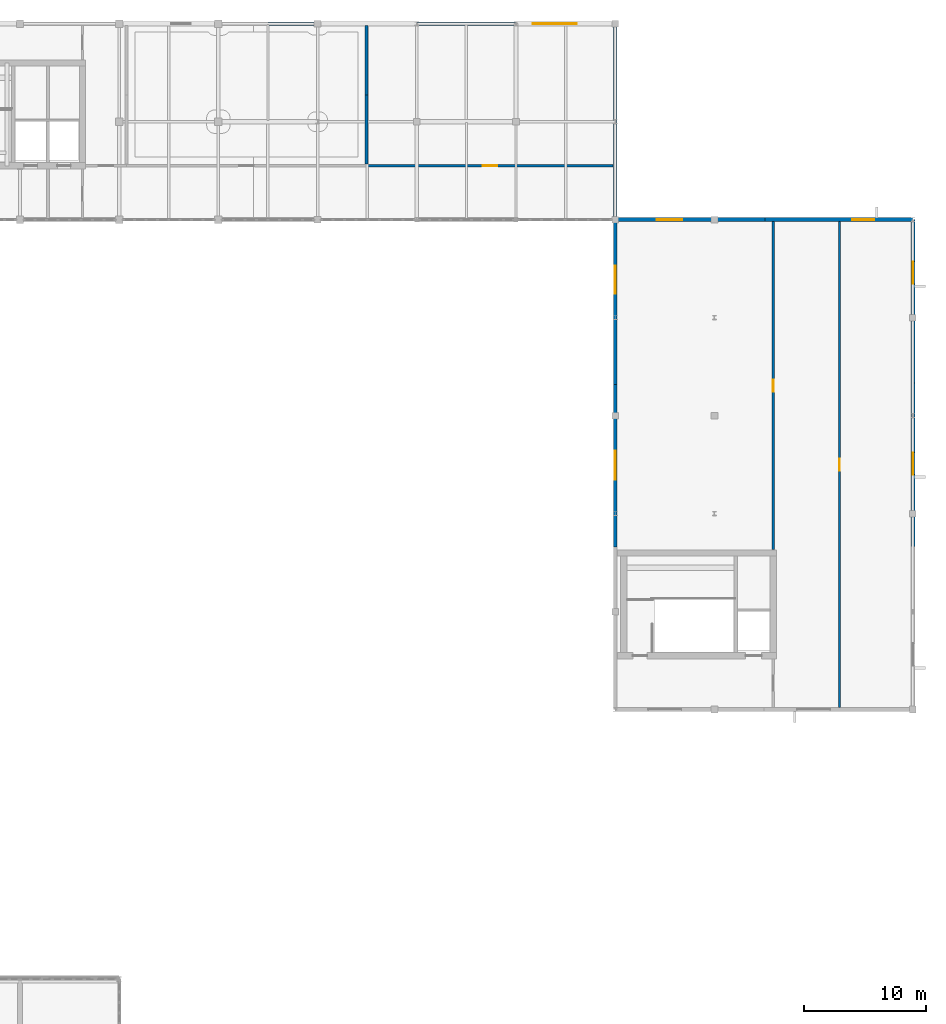
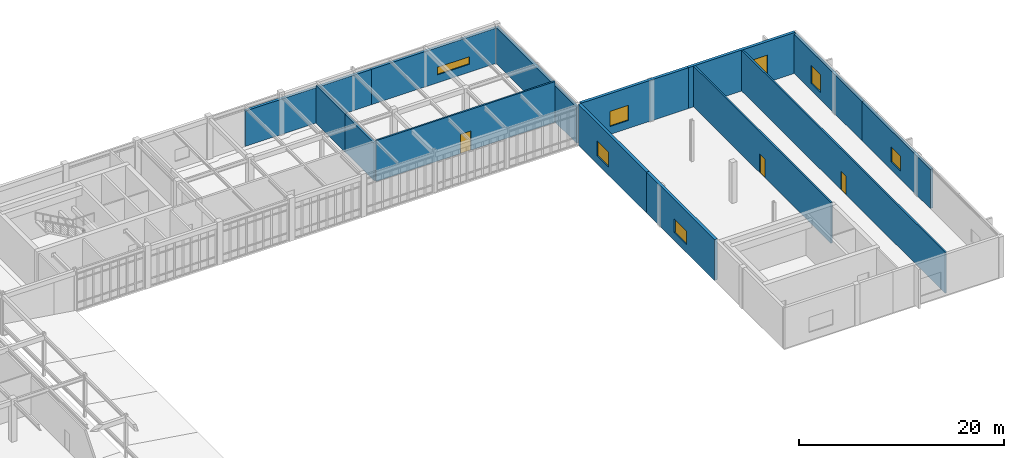
# One storey, part 64 of 70: 14 walls, 7 windows, 3 doors, 10 openings.
"""IFC4 building model written with IfcOpenShell, lengths in metres."""

from ifc_helpers import new_model, si_unit, direction, frame, frame_2d, origin, place, context, subcontext, project, spatial, rectangle, extrude, material, layer, layer_set, type_object, element, fill, save


model = new_model("IFC4")

# Units and contexts
model_context = context("Model", 3, precision=1e-05, world=origin(), true_north=direction((0.0, 1.0)))
body_context = subcontext(model_context, "Body", "Model", "MODEL_VIEW")
ifc_project = project(units=[si_unit("LENGTHUNIT", "METRE"), si_unit("AREAUNIT", "SQUARE_METRE"), si_unit("VOLUMEUNIT", "CUBIC_METRE"), si_unit("PLANEANGLEUNIT", "RADIAN"), si_unit("MASSUNIT", "GRAM", prefix="KILO")], contexts=[model_context])

# Site, building, storey
site_placement = place(None, origin())
site = spatial("IfcSite", under=ifc_project, at=site_placement, CompositionType="ELEMENT")
building_placement = place(site_placement, origin())
building = spatial("IfcBuilding", under=site, at=building_placement, Name="Tarnveldt Square Police Headquarters", CompositionType="ELEMENT")
storey_placement = place(building_placement, frame((0.0, 0.0, 19.800048828125)))
storey = spatial("IfcBuildingStorey", under=building, at=storey_placement, Name="L04", CompositionType="ELEMENT", Elevation=19.800048828125)

# Wall
ifc_material_1 = material(Name="Concrete 40 MPa", Category="concrete")
ifc_layer_1 = layer(ifc_material_1, 0.320068359375)
ifc_layer_set_1 = layer_set([ifc_layer_1], Name="Concrete 40 MPa")
wall_type_1 = type_object("IfcWallType", Name="WL-EXT-BH320", PredefinedType="SOLIDWALL", material=ifc_layer_set_1)
wall_1_placement = place(storey_placement, frame((105.300048828125, 96.179931640625, 0.0), z_axis=(0.0, 0.0, 1.0), x_axis=(0.0, 1.0, 0.0)))
element("IfcWall", 1, at=wall_1_placement, inside=storey, type_object=wall_type_1, Name="L04 Brutalist Exterior Wall 0189", PredefinedType="SOLIDWALL", context=body_context, shape_type="SweptSolid", body=[
    extrude(rectangle(XDim=15.820068359375, YDim=0.320068359375, at=frame_2d((7.91015625, 0.0))), origin(), (0.0, 0.0, 1.0), 4.2890625),
])

# Wall, opening, window
wall_2_placement = place(storey_placement, frame((129.60009765625, 69.333251953125, 0.0), z_axis=(0.0, 0.0, 1.0), x_axis=(0.0, 1.0, 0.0)))
wall_2 = element("IfcWall", 2, at=wall_2_placement, inside=storey, type_object=wall_type_1, Name="L04 Brutalist Exterior Wall 0204", PredefinedType="SOLIDWALL", context=body_context, shape_type="SweptSolid", body=[
    extrude(rectangle(XDim=13.33349609375, YDim=0.320068359375, at=frame_2d((6.666748046875, 0.0))), origin(), (0.0, 0.0, 1.0), 4.660400390625),
])
opening_1_placement = place(wall_2_placement, frame((5.85009765625, 0.0, 0.949951171875)))
opening_1 = element("IfcOpeningElement", 3, at=opening_1_placement, cuts=wall_2, Name="Opening W09", PredefinedType="OPENING", context=body_context, shape_type="SweptSolid", body=[
    extrude(rectangle(XDim=1.800048828125, YDim=1.800048828125, at=frame_2d((0.89990234375, 0.89990234375))), frame((0.0, 0.169921875, 0.0), z_axis=(0.0, -1.0, 0.0), x_axis=(1.0, 0.0, 0.0)), (0.0, 0.0, 1.0), 0.340087890625),
])
ifc_material_2 = material(Name="Triple-glazed low-e laminated vision glass", Category="glass")
window_type_1 = type_object("IfcWindowType", Name="WIN-DR-180x180", PartitioningType="DOUBLE_PANEL_VERTICAL", PredefinedType="WINDOW", material=ifc_material_2)
window_1_placement = place(opening_1_placement, origin())
window_1 = element("IfcWindow", 4, at=window_1_placement, inside=storey, type_object=window_type_1, Name="L04 Deep-Reveal Brutalist Window 0105", OverallHeight=1.800048828125, OverallWidth=1.800048828125, PartitioningType="DOUBLE_PANEL_VERTICAL", PredefinedType="WINDOW", context=body_context, shape_type="SweptSolid", body=[
    extrude(rectangle(XDim=1.800048828125, YDim=1.800048828125, at=frame_2d((0.89990234375, 0.89990234375))), frame((0.0, 0.030029296875, 0.0), z_axis=(0.0, -1.0, 0.0), x_axis=(1.0, 0.0, 0.0)), (0.0, 0.0, 1.0), 0.06005859375),
])
fill(opening_1, window_1)

wall_3_placement = place(storey_placement, frame((129.60009765625, 82.666748046875, 0.0), z_axis=(0.0, 0.0, 1.0), x_axis=(0.0, 1.0, 0.0)))
wall_3 = element("IfcWall", 5, at=wall_3_placement, inside=storey, type_object=wall_type_1, Name="L04 Brutalist Exterior Wall 0205", PredefinedType="SOLIDWALL", context=body_context, shape_type="SweptSolid", body=[
    extrude(rectangle(XDim=13.333251953125, YDim=0.320068359375, at=frame_2d((6.66650390625, 0.0))), origin(), (0.0, 0.0, 1.0), 4.660400390625),
])
opening_2_placement = place(wall_3_placement, frame((8.10009765625, 0.0, 0.85009765625)))
opening_2 = element("IfcOpeningElement", 6, at=opening_2_placement, cuts=wall_3, Name="Opening W10", PredefinedType="OPENING", context=body_context, shape_type="SweptSolid", body=[
    extrude(rectangle(XDim=1.800048828125, YDim=2.10009765625, at=frame_2d((0.89990234375, 1.050048828125))), frame((0.0, 0.169921875, 0.0), z_axis=(0.0, -1.0, 0.0), x_axis=(1.0, 0.0, 0.0)), (0.0, 0.0, 1.0), 0.340087890625),
])
window_type_2 = type_object("IfcWindowType", Name="WIN-DR-180x210", PartitioningType="DOUBLE_PANEL_VERTICAL", PredefinedType="WINDOW", material=ifc_material_2)
window_2_placement = place(opening_2_placement, origin())
window_2 = element("IfcWindow", 7, at=window_2_placement, inside=storey, type_object=window_type_2, Name="L04 Deep-Reveal Brutalist Window 0106", OverallHeight=2.10009765625, OverallWidth=1.800048828125, PartitioningType="DOUBLE_PANEL_VERTICAL", PredefinedType="WINDOW", context=body_context, shape_type="SweptSolid", body=[
    extrude(rectangle(XDim=1.800048828125, YDim=2.10009765625, at=frame_2d((0.89990234375, 1.050048828125))), frame((0.0, 0.030029296875, 0.0), z_axis=(0.0, -1.0, 0.0), x_axis=(1.0, 0.0, 0.0)), (0.0, 0.0, 1.0), 0.06005859375),
])
fill(opening_2, window_2)

wall_4_placement = place(storey_placement, frame((129.60009765625, 96.0, 0.0), z_axis=(0.0, 0.0, 1.0), x_axis=(-1.0, 0.0, 0.0)))
wall_4 = element("IfcWall", 8, at=wall_4_placement, inside=storey, type_object=wall_type_1, Name="L04 Brutalist Exterior Wall 0206", PredefinedType="SOLIDWALL", context=body_context, shape_type="SweptSolid", body=[
    extrude(rectangle(XDim=12.06005859375, YDim=0.320068359375, at=frame_2d((6.030029296875, 0.0))), origin(), (0.0, 0.0, 1.0), 4.85986328125),
])
opening_3_placement = place(wall_4_placement, frame((3.14990234375, 0.0, 0.85009765625)))
opening_3 = element("IfcOpeningElement", 9, at=opening_3_placement, cuts=wall_4, Name="Opening W11", PredefinedType="OPENING", context=body_context, shape_type="SweptSolid", body=[
    extrude(rectangle(XDim=1.800048828125, YDim=2.39990234375, at=frame_2d((0.89990234375, 1.199951171875))), frame((0.0, 0.169921875, 0.0), z_axis=(0.0, -1.0, 0.0), x_axis=(1.0, 0.0, 0.0)), (0.0, 0.0, 1.0), 0.340087890625),
])
window_type_3 = type_object("IfcWindowType", Name="WIN-DR-180x240", PartitioningType="TRIPLE_PANEL_VERTICAL", PredefinedType="WINDOW", material=ifc_material_2)
window_3_placement = place(opening_3_placement, origin())
window_3 = element("IfcWindow", 10, at=window_3_placement, inside=storey, type_object=window_type_3, Name="L04 Deep-Reveal Brutalist Window 0107", OverallHeight=2.39990234375, OverallWidth=1.800048828125, PartitioningType="TRIPLE_PANEL_VERTICAL", PredefinedType="WINDOW", context=body_context, shape_type="SweptSolid", body=[
    extrude(rectangle(XDim=1.800048828125, YDim=2.39990234375, at=frame_2d((0.89990234375, 1.199951171875))), frame((0.0, 0.030029296875, 0.0), z_axis=(0.0, -1.0, 0.0), x_axis=(1.0, 0.0, 0.0)), (0.0, 0.0, 1.0), 0.06005859375),
])
fill(opening_3, window_3)

wall_5_placement = place(storey_placement, frame((117.5400390625, 96.0, 0.0), z_axis=(0.0, 0.0, 1.0), x_axis=(-1.0, 0.0, 0.0)))
wall_5 = element("IfcWall", 11, at=wall_5_placement, inside=storey, type_object=wall_type_1, Name="L04 Brutalist Exterior Wall 0207", PredefinedType="SOLIDWALL", context=body_context, shape_type="SweptSolid", body=[
    extrude(rectangle(XDim=12.06005859375, YDim=0.320068359375, at=frame_2d((6.030029296875, 0.0))), origin(), (0.0, 0.0, 1.0), 4.85986328125),
])
opening_4_placement = place(wall_5_placement, frame((6.75, 0.0, 0.949951171875)))
opening_4 = element("IfcOpeningElement", 12, at=opening_4_placement, cuts=wall_5, Name="Opening W12", PredefinedType="OPENING", context=body_context, shape_type="SweptSolid", body=[
    extrude(rectangle(XDim=2.10009765625, YDim=1.800048828125, at=frame_2d((1.050048828125, 0.89990234375))), frame((0.0, 0.169921875, 0.0), z_axis=(0.0, -1.0, 0.0), x_axis=(1.0, 0.0, 0.0)), (0.0, 0.0, 1.0), 0.340087890625),
])
window_type_4 = type_object("IfcWindowType", Name="WIN-DR-210x180", PartitioningType="DOUBLE_PANEL_VERTICAL", PredefinedType="WINDOW", material=ifc_material_2)
window_4_placement = place(opening_4_placement, origin())
window_4 = element("IfcWindow", 13, at=window_4_placement, inside=storey, type_object=window_type_4, Name="L04 Deep-Reveal Brutalist Window 0108", OverallHeight=1.800048828125, OverallWidth=2.10009765625, PartitioningType="DOUBLE_PANEL_VERTICAL", PredefinedType="WINDOW", context=body_context, shape_type="SweptSolid", body=[
    extrude(rectangle(XDim=2.10009765625, YDim=1.800048828125, at=frame_2d((1.050048828125, 0.89990234375))), frame((0.0, 0.030029296875, 0.0), z_axis=(0.0, -1.0, 0.0), x_axis=(1.0, 0.0, 0.0)), (0.0, 0.0, 1.0), 0.06005859375),
])
fill(opening_4, window_4)

wall_6_placement = place(storey_placement, frame((105.300048828125, 95.820068359375, 0.0), z_axis=(0.0, 0.0, 1.0), x_axis=(0.0, -1.0, 0.0)))
wall_6 = element("IfcWall", 14, at=wall_6_placement, inside=storey, type_object=wall_type_1, Name="L04 Brutalist Exterior Wall 0208", PredefinedType="SOLIDWALL", context=body_context, shape_type="SweptSolid", body=[
    extrude(rectangle(XDim=13.2734375, YDim=0.320068359375, at=frame_2d((6.63671875, 0.0))), origin(), (0.0, 0.0, 1.0), 4.85986328125),
])
opening_5_placement = place(wall_6_placement, frame((3.60009765625, 0.0, 0.949951171875)))
opening_5 = element("IfcOpeningElement", 15, at=opening_5_placement, cuts=wall_6, Name="Opening W13", PredefinedType="OPENING", context=body_context, shape_type="SweptSolid", body=[
    extrude(rectangle(XDim=2.25, YDim=1.800048828125, at=frame_2d((1.125, 0.89990234375))), frame((0.0, 0.169921875, 0.0), z_axis=(0.0, -1.0, 0.0), x_axis=(1.0, 0.0, 0.0)), (0.0, 0.0, 1.0), 0.340087890625),
])
window_type_5 = type_object("IfcWindowType", Name="WIN-DR-225x180", PartitioningType="TRIPLE_PANEL_VERTICAL", PredefinedType="WINDOW", material=ifc_material_2)
window_5_placement = place(opening_5_placement, origin())
window_5 = element("IfcWindow", 16, at=window_5_placement, inside=storey, type_object=window_type_5, Name="L04 Deep-Reveal Brutalist Window 0109", OverallHeight=1.800048828125, OverallWidth=2.25, PartitioningType="TRIPLE_PANEL_VERTICAL", PredefinedType="WINDOW", context=body_context, shape_type="SweptSolid", body=[
    extrude(rectangle(XDim=2.25, YDim=1.800048828125, at=frame_2d((1.125, 0.89990234375))), frame((0.0, 0.030029296875, 0.0), z_axis=(0.0, -1.0, 0.0), x_axis=(1.0, 0.0, 0.0)), (0.0, 0.0, 1.0), 0.06005859375),
])
fill(opening_5, window_5)

wall_7_placement = place(storey_placement, frame((105.300048828125, 82.546630859375, 0.0), z_axis=(0.0, 0.0, 1.0), x_axis=(0.0, -1.0, 0.0)))
wall_7 = element("IfcWall", 17, at=wall_7_placement, inside=storey, type_object=wall_type_1, Name="L04 Brutalist Exterior Wall 0209", PredefinedType="SOLIDWALL", context=body_context, shape_type="SweptSolid", body=[
    extrude(rectangle(XDim=13.273193359375, YDim=0.320068359375, at=frame_2d((6.63671875, 0.0))), origin(), (0.0, 0.0, 1.0), 4.85986328125),
])
opening_6_placement = place(wall_7_placement, frame((5.39990234375, 0.0, 0.949951171875)))
opening_6 = element("IfcOpeningElement", 18, at=opening_6_placement, cuts=wall_7, Name="Opening W14", PredefinedType="OPENING", context=body_context, shape_type="SweptSolid", body=[
    extrude(rectangle(XDim=2.39990234375, YDim=1.60009765625, at=frame_2d((1.199951171875, 0.800048828125))), frame((0.0, 0.169921875, 0.0), z_axis=(0.0, -1.0, 0.0), x_axis=(1.0, 0.0, 0.0)), (0.0, 0.0, 1.0), 0.340087890625),
])
window_type_6 = type_object("IfcWindowType", Name="WIN-DR-240x160", PartitioningType="TRIPLE_PANEL_VERTICAL", PredefinedType="WINDOW", material=ifc_material_2)
window_6_placement = place(opening_6_placement, origin())
window_6 = element("IfcWindow", 19, at=window_6_placement, inside=storey, type_object=window_type_6, Name="L04 Deep-Reveal Brutalist Window 0110", OverallHeight=1.60009765625, OverallWidth=2.39990234375, PartitioningType="TRIPLE_PANEL_VERTICAL", PredefinedType="WINDOW", context=body_context, shape_type="SweptSolid", body=[
    extrude(rectangle(XDim=2.39990234375, YDim=1.60009765625, at=frame_2d((1.199951171875, 0.800048828125))), frame((0.0, 0.030029296875, 0.0), z_axis=(0.0, -1.0, 0.0), x_axis=(1.0, 0.0, 0.0)), (0.0, 0.0, 1.0), 0.06005859375),
])
fill(opening_6, window_6)

ifc_material_3 = material(Name="Manganese ironspot clay brick masonry 20 MPa", Category="masonry")
ifc_layer_2 = layer(ifc_material_3, 0.300048828125)
ifc_layer_set_2 = layer_set([ifc_layer_2], Name="Manganese ironspot clay brick masonry 20 MPa")
wall_type_2 = type_object("IfcWallType", Name="WL-EXT-BRK300", PredefinedType="SOLIDWALL", material=ifc_layer_set_2)
wall_8_placement = place(storey_placement, frame((105.300048828125, 112.0, 0.0), z_axis=(0.0, 0.0, 1.0), x_axis=(-1.0, 0.0, 0.0)))
wall_8 = element("IfcWall", 20, at=wall_8_placement, inside=storey, type_object=wall_type_2, Name="L04 Brutalist Exterior Wall 0190", PredefinedType="SOLIDWALL", context=body_context, shape_type="SweptSolid", body=[
    extrude(rectangle(XDim=14.175048828125, YDim=0.300048828125, at=frame_2d((7.08740234375, 0.0))), origin(), (0.0, 0.0, 1.0), 4.201904296875),
])
opening_7_placement = place(wall_8_placement, frame((3.14990234375, 0.0, 0.949951171875)))
opening_7 = element("IfcOpeningElement", 21, at=opening_7_placement, cuts=wall_8, Name="Opening W23", PredefinedType="OPENING", context=body_context, shape_type="SweptSolid", body=[
    extrude(rectangle(XDim=3.60009765625, YDim=0.89990234375, at=frame_2d((1.800048828125, 0.449951171875))), frame((0.0, 0.159912109375, 0.0), z_axis=(0.0, -1.0, 0.0), x_axis=(1.0, 0.0, 0.0)), (0.0, 0.0, 1.0), 0.320068359375),
])
window_type_7 = type_object("IfcWindowType", Name="WIN-CLR-360x090", PartitioningType="TRIPLE_PANEL_VERTICAL", PredefinedType="WINDOW", material=ifc_material_2)
window_7_placement = place(opening_7_placement, origin())
window_7 = element("IfcWindow", 22, at=window_7_placement, inside=storey, type_object=window_type_7, Name="L04 Deep-Reveal Brutalist Window 0095", OverallHeight=0.89990234375, OverallWidth=3.60009765625, PartitioningType="TRIPLE_PANEL_VERTICAL", PredefinedType="WINDOW", context=body_context, shape_type="SweptSolid", body=[
    extrude(rectangle(XDim=3.60009765625, YDim=0.89990234375, at=frame_2d((1.800048828125, 0.449951171875))), frame((0.0, 0.030029296875, 0.0), z_axis=(0.0, -1.0, 0.0), x_axis=(1.0, 0.0, 0.0)), (0.0, 0.0, 1.0), 0.06005859375),
])
fill(opening_7, window_7)

# Wall
wall_9_placement = place(storey_placement, frame((91.125, 112.0, 0.0), z_axis=(0.0, 0.0, 1.0), x_axis=(-1.0, 0.0, 0.0)))
element("IfcWall", 23, at=wall_9_placement, inside=storey, type_object=wall_type_2, Name="L04 Brutalist Exterior Wall 0191", PredefinedType="SOLIDWALL", context=body_context, shape_type="SweptSolid", body=[
    extrude(rectangle(XDim=14.175048828125, YDim=0.300048828125, at=frame_2d((7.08740234375, 0.0))), origin(), (0.0, 0.0, 1.0), 4.201904296875),
])

# Wall, opening, door
ifc_material_4 = material(Name="Fire-rated Type X gypsum board on steel studs", Category="steel")
ifc_layer_3 = layer(ifc_material_4, 0.179931640625)
ifc_layer_set_3 = layer_set([ifc_layer_3], Name="Fire-rated Type X gypsum board on steel studs")
wall_type_3 = type_object("IfcWallType", Name="WL-FIRE-180", PredefinedType="PARTITIONING", material=ifc_layer_set_3)
wall_10_placement = place(storey_placement, frame((85.0, 100.39990234375, 0.0), z_axis=(0.0, 0.0, 1.0), x_axis=(1.0, 0.0, 0.0)))
wall_10 = element("IfcWall", 24, at=wall_10_placement, inside=storey, type_object=wall_type_3, Name="L04 Interior Partition Wall 0562", PredefinedType="PARTITIONING", context=body_context, shape_type="SweptSolid", body=[
    extrude(rectangle(XDim=20.132080078125, YDim=0.179931640625, at=frame_2d((10.06591796875, 0.0))), origin(), (0.0, 0.0, 1.0), 4.85986328125),
])
opening_8_placement = place(wall_10_placement, frame((9.466064453125, 0.0, 0.0)))
opening_8 = element("IfcOpeningElement", 25, at=opening_8_placement, cuts=wall_10, Name="Opening D10", PredefinedType="OPENING", context=body_context, shape_type="SweptSolid", body=[
    extrude(rectangle(XDim=1.199951171875, YDim=2.300048828125, at=frame_2d((0.60009765625, 1.14990234375))), frame((0.0, 0.099853515625, 0.0), z_axis=(0.0, -1.0, 0.0), x_axis=(1.0, 0.0, 0.0)), (0.0, 0.0, 1.0), 0.199951171875),
])
ifc_material_5 = material(Name="Insulated hollow metal steel door leaf", Category="steel")
door_type_1 = type_object("IfcDoorType", Name="DR-LAB-1200", OperationType="NOTDEFINED", PredefinedType="DOOR", material=ifc_material_5)
door_1_placement = place(opening_8_placement, origin())
door_1 = element("IfcDoor", 26, at=door_1_placement, inside=storey, type_object=door_type_1, Name="Forensic Toxicology Laboratory Door", OperationType="SINGLE_SWING_LEFT", OverallHeight=2.300048828125, OverallWidth=1.199951171875, PredefinedType="DOOR", context=body_context, shape_type="SweptSolid", body=[
    extrude(rectangle(XDim=1.199951171875, YDim=2.300048828125, at=frame_2d((0.60009765625, 1.14990234375))), frame((0.0, 0.02490234375, 0.0), z_axis=(0.0, -1.0, 0.0), x_axis=(1.0, 0.0, 0.0)), (0.0, 0.0, 1.0), 0.050048828125),
])
fill(opening_8, door_1)

wall_11_placement = place(storey_placement, frame((118.199951171875, 69.05810546875, 0.0), z_axis=(0.0, 0.0, 1.0), x_axis=(0.0, 1.0, 0.0)))
wall_11 = element("IfcWall", 27, at=wall_11_placement, inside=storey, type_object=wall_type_3, Name="L04 Interior Partition Wall 0600", PredefinedType="PARTITIONING", context=body_context, shape_type="SweptSolid", body=[
    extrude(rectangle(XDim=26.77392578125, YDim=0.179931640625, at=frame_2d((13.386962890625, 0.0))), origin(), (0.0, 0.0, 1.0), 4.85986328125),
])
opening_9_placement = place(wall_11_placement, frame((12.886962890625, 0.0, 0.0)))
opening_9 = element("IfcOpeningElement", 28, at=opening_9_placement, cuts=wall_11, Name="Opening D05", PredefinedType="OPENING", context=body_context, shape_type="SweptSolid", body=[
    extrude(rectangle(XDim=1.0, YDim=2.199951171875, at=frame_2d((0.5, 1.10009765625))), frame((0.0, 0.099853515625, 0.0), z_axis=(0.0, -1.0, 0.0), x_axis=(1.0, 0.0, 0.0)), (0.0, 0.0, 1.0), 0.199951171875),
])
ifc_material_6 = material(Name="Solid core architectural birch door leaf", Category="wood")
door_type_2 = type_object("IfcDoorType", Name="DR-INT-1000", OperationType="NOTDEFINED", PredefinedType="DOOR", material=ifc_material_6)
door_2_placement = place(opening_9_placement, origin())
door_2 = element("IfcDoor", 29, at=door_2_placement, inside=storey, type_object=door_type_2, Name="Major Event Crowd-Safety Planning Office Door", OperationType="SINGLE_SWING_LEFT", OverallHeight=2.199951171875, OverallWidth=1.0, PredefinedType="DOOR", context=body_context, shape_type="SweptSolid", body=[
    extrude(rectangle(XDim=1.0, YDim=2.199951171875, at=frame_2d((0.5, 1.10009765625))), frame((0.0, 0.02490234375, 0.0), z_axis=(0.0, -1.0, 0.0), x_axis=(1.0, 0.0, 0.0)), (0.0, 0.0, 1.0), 0.050048828125),
])
fill(opening_9, door_2)

wall_12_placement = place(storey_placement, frame((123.60009765625, 56.16796875, 0.0), z_axis=(0.0, 0.0, 1.0), x_axis=(0.0, 1.0, 0.0)))
wall_12 = element("IfcWall", 30, at=wall_12_placement, inside=storey, type_object=wall_type_3, Name="L04 Interior Partition Wall 0601", PredefinedType="PARTITIONING", context=body_context, shape_type="SweptSolid", body=[
    extrude(rectangle(XDim=39.6640625, YDim=0.179931640625, at=frame_2d((19.83203125, 0.0))), origin(), (0.0, 0.0, 1.0), 4.85986328125),
])
opening_10_placement = place(wall_12_placement, frame((19.33203125, 0.0, 0.0)))
opening_10 = element("IfcOpeningElement", 31, at=opening_10_placement, cuts=wall_12, Name="Opening D05", PredefinedType="OPENING", context=body_context, shape_type="SweptSolid", body=[
    extrude(rectangle(XDim=1.0, YDim=2.199951171875, at=frame_2d((0.5, 1.10009765625))), frame((0.0, 0.099853515625, 0.0), z_axis=(0.0, -1.0, 0.0), x_axis=(1.0, 0.0, 0.0)), (0.0, 0.0, 1.0), 0.199951171875),
])
door_3_placement = place(opening_10_placement, frame((1.0, 0.0, 0.0), z_axis=(0.0, 0.0, 1.0), x_axis=(-1.0, 0.0, 0.0)))
door_3 = element("IfcDoor", 32, at=door_3_placement, inside=storey, type_object=door_type_2, Name="Crisis Negotiation Command Suite Door", OperationType="SINGLE_SWING_RIGHT", OverallHeight=2.199951171875, OverallWidth=1.0, PredefinedType="DOOR", context=body_context, shape_type="SweptSolid", body=[
    extrude(rectangle(XDim=1.0, YDim=2.199951171875, at=frame_2d((0.5, 1.10009765625))), frame((0.0, 0.02490234375, 0.0), z_axis=(0.0, -1.0, 0.0), x_axis=(1.0, 0.0, 0.0)), (0.0, 0.0, 1.0), 0.050048828125),
])
fill(opening_10, door_3)

# Walls
ifc_material_7 = material(Name="Concrete block masonry 15 MPa", Category="masonry")
ifc_layer_4 = layer(ifc_material_7, 0.239990234375)
ifc_layer_set_4 = layer_set([ifc_layer_4], Name="Concrete block masonry 15 MPa")
wall_type_4 = type_object("IfcWallType", Name="WL-FIRE-240", PredefinedType="PARTITIONING", material=ifc_layer_set_4)
for number, where, z_axis, x_axis, name in (
    (33, (85.0, 100.528076171875, 0.0), (0.0, 0.0, 1.0), (0.0, 1.0, 0.0), "L04 Interior Partition Wall 0597"),
    (34, (85.0, 106.18505859375, 0.0), (0.0, 0.0, 1.0), (0.0, 1.0, 0.0), "L04 Interior Partition Wall 0598"),
):
    element("IfcWall", number, at=place(storey_placement, frame(where, z_axis=z_axis, x_axis=x_axis)), inside=storey, type_object=wall_type_4, Name=name, PredefinedType="PARTITIONING", context=body_context, shape_type="SweptSolid", body=[
        extrude(rectangle(XDim=5.656982421875, YDim=0.239990234375, at=frame_2d((2.82861328125, 0.0))), origin(), (0.0, 0.0, 1.0), 4.498046875),
    ])

save(model, "model.ifc")
